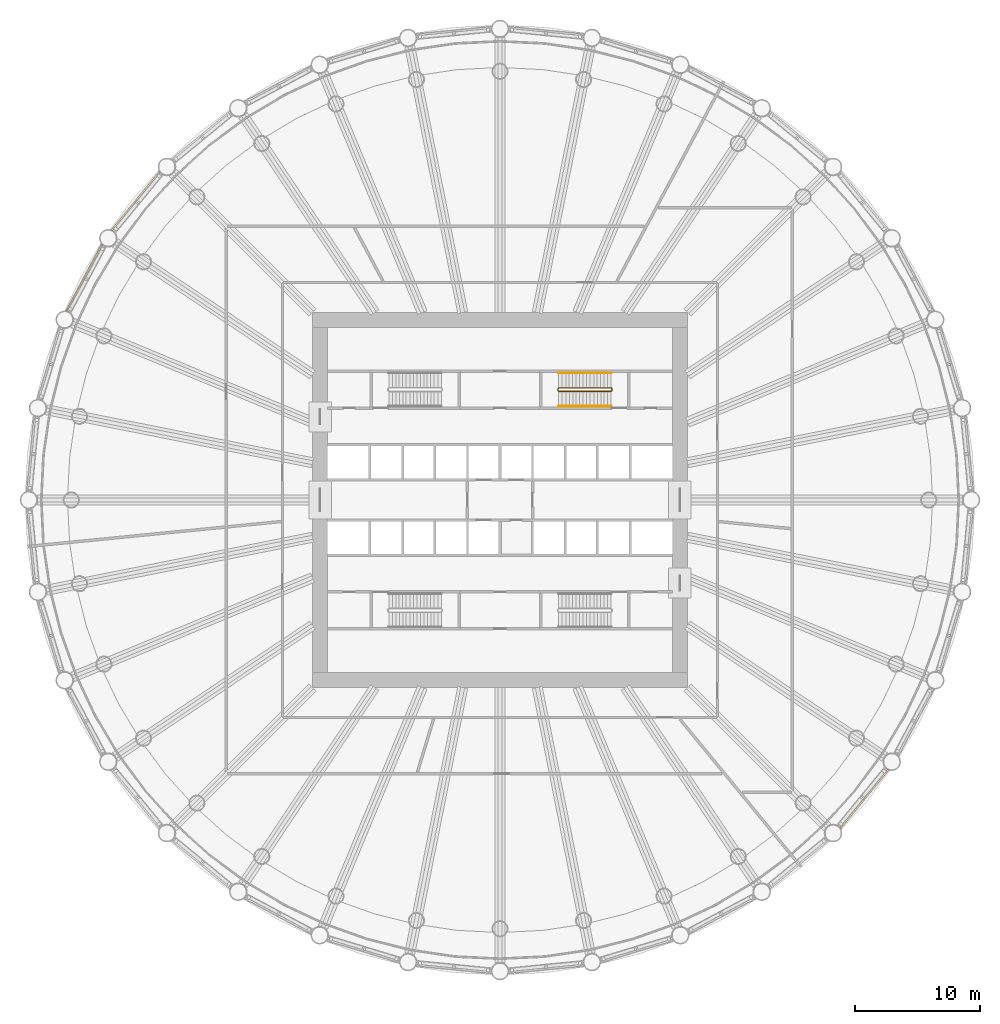
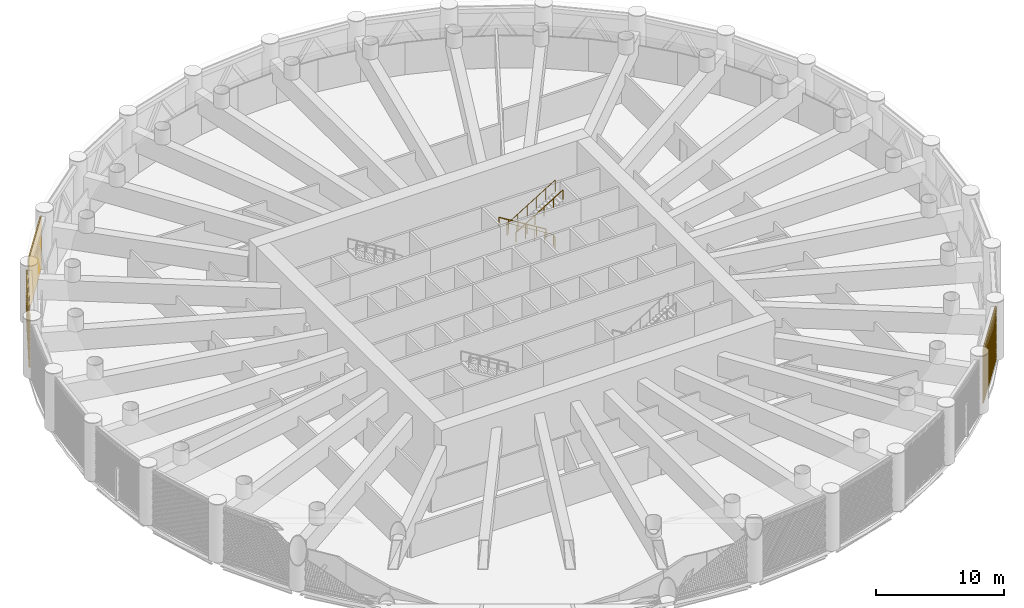
# One storey, part 23 of 26: 3 railings, 3 shading devices, 3 elements without a shape of their own.
"""IFC4 building model written with IfcOpenShell, lengths in metres."""

import ifcopenshell
import ifcopenshell.guid

model = None  # the IFC model being written
_history = None  # IfcOwnerHistory: only IFC2X3 demands one
_inside = {}  # id of a spatial element -> (the spatial element, [elements in it])
_under = {}  # id of a project, library or spatial element -> (it, [spatial elements below it])
_declared = {}  # id of a project -> (the project, [libraries it declares])
_typed = {}  # id of a type object -> (the type object, [elements of that type])
_made_of = {}  # id of a material, layer set ... -> (it, [elements and type objects made of it])


def new_model(schema):
    """Start an empty IFC model of exactly this schema.

    Asked for "IFC4X3", IfcOpenShell would pick the latest addendum, in which some entities
    have other attributes; the version numbers below select the first issue.
    IFC2X3 requires an IfcOwnerHistory on every rooted entity: one is made here for all.
    """
    global model, _history
    if schema == "IFC4X3":
        model = ifcopenshell.file(schema_version=(4, 3, 0, 0))
    else:
        model = ifcopenshell.file(schema=schema)
    _inside.clear()
    _under.clear()
    _declared.clear()
    _typed.clear()
    _made_of.clear()
    _history = None
    if model.schema == "IFC2X3":
        org = make("IfcOrganization", Name="unknown")
        user = make(
            "IfcPersonAndOrganization",
            ThePerson=make("IfcPerson", FamilyName="unknown"),
            TheOrganization=org,
        )
        app = make(
            "IfcApplication",
            ApplicationDeveloper=org,
            Version="unknown",
            ApplicationFullName="unknown",
            ApplicationIdentifier="unknown",
        )
        _history = make(
            "IfcOwnerHistory",
            OwningUser=user,
            OwningApplication=app,
            ChangeAction="ADDED",
            CreationDate=0,
        )
    return model


def make(cls, **values):
    """One entity of the class cls with the attributes given. An attribute that is None is left unset."""
    return model.create_entity(
        cls, **{name: value for name, value in values.items() if value is not None}
    )


def rooted(cls, **values):
    """An entity with a GlobalId (a new one), such as an element, a storey or a relation."""
    return make(cls, GlobalId=ifcopenshell.guid.new(), OwnerHistory=_history, **values)


def si_unit(unit_type, name, prefix=None):
    """IfcSIUnit, for example si_unit("LENGTHUNIT", "METRE", prefix="MILLI")."""
    return make("IfcSIUnit", UnitType=unit_type, Prefix=prefix, Name=name)


def assignment(units):
    """IfcUnitAssignment: the units of a project."""
    return None if units is None else make("IfcUnitAssignment", Units=units)


def point(xyz):
    """IfcCartesianPoint."""
    return None if xyz is None else make("IfcCartesianPoint", Coordinates=xyz)


def direction(xyz):
    """IfcDirection."""
    return None if xyz is None else make("IfcDirection", DirectionRatios=xyz)


def frame(location, z_axis=None, x_axis=None):
    """IfcAxis2Placement3D, a coordinate frame: its origin and axes. An axis left out is left unset."""
    return make(
        "IfcAxis2Placement3D",
        Location=point(location),
        Axis=direction(z_axis),
        RefDirection=direction(x_axis),
    )


def frame_2d(location, x_axis=None):
    """IfcAxis2Placement2D, a coordinate frame in the plane: its origin and x axis."""
    return make(
        "IfcAxis2Placement2D", Location=point(location), RefDirection=direction(x_axis)
    )


def origin():
    """The frame at (0, 0, 0) with its axes left unset."""
    return frame((0.0, 0.0, 0.0))


def origin_2d():
    """The frame at (0, 0) in the plane with its x axis left unset."""
    return frame_2d((0.0, 0.0))


def place(relative_to, where):
    """IfcLocalPlacement: puts the frame where relative to a parent placement (None: the world)."""
    return make(
        "IfcLocalPlacement", PlacementRelTo=relative_to, RelativePlacement=where
    )


def context(
    kind, dimensions, precision=None, world=None, true_north=None, identifier=None
):
    """IfcGeometricRepresentationContext, for example the 3D "Model" context."""
    return make(
        "IfcGeometricRepresentationContext",
        ContextIdentifier=identifier,
        ContextType=kind,
        CoordinateSpaceDimension=dimensions,
        Precision=precision,
        WorldCoordinateSystem=world,
        TrueNorth=true_north,
    )


def subcontext(parent, identifier, kind, view, scale=None):
    """IfcGeometricRepresentationSubContext, for example "Body" below "Model"."""
    return make(
        "IfcGeometricRepresentationSubContext",
        ContextIdentifier=identifier,
        ContextType=kind,
        ParentContext=parent,
        TargetScale=scale,
        TargetView=view,
    )


def project(units=None, contexts=None):
    """IfcProject with its units and contexts."""
    return rooted(
        "IfcProject",
        Name="project",
        RepresentationContexts=contexts,
        UnitsInContext=assignment(units),
    )


def spatial(cls, under=None, at=None, **own):
    """A site, building, storey or space (cls), placed at a placement, below another one or the project."""
    s = rooted(cls, ObjectPlacement=at, **own)
    if under is not None:
        _under.setdefault(under.id(), (under, []))[1].append(s)
    return s


def polyline(points):
    """IfcPolyline through the points."""
    return make("IfcPolyline", Points=[point(p) for p in points])


def profile(cls, at=None, kind="AREA", **sizes):
    """A parametric profile (cls). Its sizes go by their IFC names, for example OverallWidth=200.0."""
    return make(cls, ProfileType=kind, Position=at, **sizes)


def circle(**sizes):
    """IfcCircleProfileDef."""
    return profile("IfcCircleProfileDef", **sizes)


def outline(outer, holes=None, kind="AREA"):
    """IfcArbitraryClosedProfileDef: a profile drawn as a closed curve; with holes, ...WithVoids."""
    if holes is None:
        return make("IfcArbitraryClosedProfileDef", ProfileType=kind, OuterCurve=outer)
    return make(
        "IfcArbitraryProfileDefWithVoids",
        ProfileType=kind,
        OuterCurve=outer,
        InnerCurves=holes,
    )


def extrude(swept, where, along, depth):
    """IfcExtrudedAreaSolid: the profile swept, set in the frame where, extruded along a direction by depth."""
    return make(
        "IfcExtrudedAreaSolid",
        SweptArea=swept,
        Position=where,
        ExtrudedDirection=direction(along),
        Depth=depth,
    )


def shape(context_of_items, identifier, shape_type, items):
    """IfcShapeRepresentation: the items that make up one representation, for example the "Body"."""
    return make(
        "IfcShapeRepresentation",
        ContextOfItems=context_of_items,
        RepresentationIdentifier=identifier,
        RepresentationType=shape_type,
        Items=items,
    )


def material(Name=None, Category=None):
    """IfcMaterial."""
    return make("IfcMaterial", Name=Name, Category=Category)


def material_profile(
    of_material, cross_section, Name=None, Category=None, Priority=None
):
    """IfcMaterialProfile: a cross section and its material."""
    return make(
        "IfcMaterialProfile",
        Name=Name,
        Material=of_material,
        Profile=cross_section,
        Priority=Priority,
        Category=Category,
    )


def profile_set(profiles, Name=None, composite=None):
    """IfcMaterialProfileSet."""
    return make(
        "IfcMaterialProfileSet",
        Name=Name,
        MaterialProfiles=profiles,
        CompositeProfile=composite,
    )


def made_of(thing, what):
    """Note that an element or type object is made of a material, layer set ...; save() writes the relation."""
    if what is not None:
        _made_of.setdefault(what.id(), (what, []))[1].append(thing)
    return thing


def type_object(cls, material=None, **own):
    """A type object (cls), such as IfcWallType, which elements share."""
    return made_of(rooted(cls, **own), material)


def element(
    cls,
    number,
    at=None,
    inside=None,
    cuts=None,
    type_object=None,
    material=None,
    context=None,
    identifier="Body",
    shape_type=None,
    held_by="IfcProductDefinitionShape",
    body=None,
    shapes=None,
    **own,
):
    """One element of the class cls, such as IfcWall. Its Tag is "e" and its number.

    at: its placement. inside: the storey or other place that contains it. cuts: it is an
    opening in that element (IfcRelVoidsElement). A single representation is given by context,
    identifier, shape_type and body (its items); several are given by shapes. held_by: the class
    of the entity that holds the representations. save() writes the other relations.
    """
    e = rooted(cls, Tag="e%d" % number, ObjectPlacement=at, **own)
    if body is not None:
        shapes = [shape(context, identifier, shape_type, body)]
    if shapes is not None:
        e.Representation = make(held_by, Representations=shapes)
    if inside is not None:
        _inside.setdefault(inside.id(), (inside, []))[1].append(e)
    if cuts is not None:
        rooted(
            "IfcRelVoidsElement", RelatingBuildingElement=cuts, RelatedOpeningElement=e
        )
    if type_object is not None:
        _typed.setdefault(type_object.id(), (type_object, []))[1].append(e)
    return made_of(e, material)


def aggregate(whole, parts):
    """IfcRelAggregates: a whole, such as a stair, and the parts it consists of."""
    return rooted("IfcRelAggregates", RelatingObject=whole, RelatedObjects=parts)


def save(model, path):
    """Write the relations noted so far, then the file.

    IfcRelAggregates (storeys below a building ...), IfcRelContainedInSpatialStructure (elements
    in a storey), IfcRelDefinesByType, IfcRelAssociatesMaterial and IfcRelDeclares: one each for
    every whole, place, type object, material and project.
    """
    for whole, parts in _under.values():
        aggregate(whole, parts)
    for where, things in _inside.values():
        rooted(
            "IfcRelContainedInSpatialStructure",
            RelatedElements=things,
            RelatingStructure=where,
        )
    for kind, things in _typed.values():
        rooted("IfcRelDefinesByType", RelatedObjects=things, RelatingType=kind)
    for what, things in _made_of.values():
        rooted("IfcRelAssociatesMaterial", RelatedObjects=things, RelatingMaterial=what)
    for by, libraries in _declared.values():
        rooted("IfcRelDeclares", RelatingContext=by, RelatedDefinitions=libraries)
    model.write(path)


model = new_model("IFC4")

# Units and contexts
model_context = context("Model", 3, precision=1e-05, world=origin(), true_north=direction((0.0, 1.0)))
body_context = subcontext(model_context, "Body", "Model", "MODEL_VIEW")
ifc_project = project(units=[si_unit("LENGTHUNIT", "METRE"), si_unit("AREAUNIT", "SQUARE_METRE"), si_unit("VOLUMEUNIT", "CUBIC_METRE"), si_unit("PLANEANGLEUNIT", "RADIAN"), si_unit("MASSUNIT", "GRAM", prefix="KILO")], contexts=[model_context])

# Site, building, storey
site_placement = place(None, origin())
site = spatial("IfcSite", under=ifc_project, at=site_placement, CompositionType="ELEMENT")
building_placement = place(site_placement, origin())
building = spatial("IfcBuilding", under=site, at=building_placement, Name="Corvane Civic Tower", CompositionType="ELEMENT")
storey_placement = place(building_placement, frame((0.0, 0.0, 85.0)))
storey = spatial("IfcBuildingStorey", under=building, at=storey_placement, Name="L19", CompositionType="ELEMENT", Elevation=85.0)

# Railings
ifc_material_1 = material(Name="Steel ASTM A572 Gr 50", Category="steel")
railing_type_1 = type_object("IfcRailingType", Name="ST-GUARD-1100", PredefinedType="GUARDRAIL", material=ifc_material_1)
railing_1_placement = place(storey_placement, frame((8.949951171875, 8.75, 0.0)))
element("IfcRailing", 1, at=railing_1_placement, inside=storey, type_object=railing_type_1, Name="L19 ST1 stair guard 1", PredefinedType="GUARDRAIL", context=body_context, shape_type="SweptSolid", body=[
    extrude(circle(Radius=0.02392578125, at=origin_2d()), frame((0.0, 0.0, 1.076171875), z_axis=(0.0, 1.0, 0.0), x_axis=(-1.0, 0.0, 0.0)), (0.0, 0.0, 1.0), 0.14990234375),
    extrude(circle(Radius=0.02392578125, at=origin_2d()), frame((0.0, 0.14990234375, 1.076171875), z_axis=(-0.269255725606, 0.269255725606, 0.92466356501), x_axis=(-0.707106781187, -0.707106781187, 0.0)), (0.0, 0.0, 1.0), 0.185791015625),
    extrude(circle(Radius=0.02392578125, at=origin_2d()), frame((-0.050048828125, 0.199951171875, 1.248046875), z_axis=(-0.852242915053, 0.0, 0.523146264196), x_axis=(0.0, -1.0, 0.0)), (0.0, 0.0, 1.0), 4.92822265625),
    extrude(circle(Radius=0.02392578125, at=origin_2d()), frame((-4.25, 0.199951171875, 3.826171875), z_axis=(-0.707106781187, -0.707106781187, 0.0), x_axis=(0.707106781187, -0.707106781187, 0.0)), (0.0, 0.0, 1.0), 0.07080078125),
    extrude(circle(Radius=0.02392578125, at=origin_2d()), frame((-4.300048828125, 0.14990234375, 3.826171875), z_axis=(0.0, -1.0, 0.0), x_axis=(1.0, 0.0, 0.0)), (0.0, 0.0, 1.0), 0.14990234375),
    extrude(circle(Radius=0.02392578125, at=origin_2d()), frame((-4.300048828125, 0.0, 3.826171875), z_axis=(0.269255725606, -0.269255725606, 0.92466356501), x_axis=(0.707106781187, 0.707106781187, 0.0)), (0.0, 0.0, 1.0), 0.185791015625),
    extrude(circle(Radius=0.02392578125, at=origin_2d()), frame((-4.25, -0.050048828125, 3.998046875), z_axis=(0.852242915053, 0.0, 0.523146264196), x_axis=(0.0, 1.0, 0.0)), (0.0, 0.0, 1.0), 4.92822265625),
    extrude(circle(Radius=0.02099609375, at=origin_2d()), origin(), (0.0, 0.0, 1.0), 1.052001953125),
    extrude(circle(Radius=0.02099609375, at=origin_2d()), frame((0.0, 0.14990234375, 0.0)), (0.0, 0.0, 1.0), 1.052001953125),
    extrude(circle(Radius=0.02099609375, at=origin_2d()), frame((-0.050048828125, 0.199951171875, 0.171875)), (0.0, 0.0, 1.0), 1.052001953125),
    extrude(circle(Radius=0.02099609375, at=origin_2d()), frame((-0.89013671875, 0.199951171875, 0.6875)), (0.0, 0.0, 1.0), 1.052001953125),
    extrude(circle(Radius=0.02099609375, at=origin_2d()), frame((-1.72998046875, 0.199951171875, 1.203125)), (0.0, 0.0, 1.0), 1.052001953125),
    extrude(circle(Radius=0.02099609375, at=origin_2d()), frame((-2.570068359375, 0.199951171875, 1.71875)), (0.0, 0.0, 1.0), 1.052001953125),
    extrude(circle(Radius=0.02099609375, at=origin_2d()), frame((-3.409912109375, 0.199951171875, 2.234375)), (0.0, 0.0, 1.0), 1.052001953125),
    extrude(circle(Radius=0.02099609375, at=origin_2d()), frame((-4.25, 0.199951171875, 2.75)), (0.0, 0.0, 1.0), 1.052001953125),
    extrude(circle(Radius=0.02099609375, at=origin_2d()), frame((-4.300048828125, 0.14990234375, 2.75)), (0.0, 0.0, 1.0), 1.052001953125),
    extrude(circle(Radius=0.02099609375, at=origin_2d()), frame((-4.300048828125, 0.0, 2.75)), (0.0, 0.0, 1.0), 1.052001953125),
    extrude(circle(Radius=0.02099609375, at=origin_2d()), frame((-4.25, -0.050048828125, 2.921875)), (0.0, 0.0, 1.0), 1.052001953125),
    extrude(circle(Radius=0.02099609375, at=origin_2d()), frame((-3.409912109375, -0.050048828125, 3.4375)), (0.0, 0.0, 1.0), 1.052001953125),
    extrude(circle(Radius=0.02099609375, at=origin_2d()), frame((-2.570068359375, -0.050048828125, 3.953125)), (0.0, 0.0, 1.0), 1.052001953125),
    extrude(circle(Radius=0.02099609375, at=origin_2d()), frame((-1.72998046875, -0.050048828125, 4.46875)), (0.0, 0.0, 1.0), 1.052001953125),
    extrude(circle(Radius=0.02099609375, at=origin_2d()), frame((-0.89013671875, -0.050048828125, 4.984375)), (0.0, 0.0, 1.0), 1.052001953125),
    extrude(circle(Radius=0.02099609375, at=origin_2d()), frame((-0.050048828125, -0.050048828125, 5.5)), (0.0, 0.0, 1.0), 1.052001953125),
])
ifc_material_2 = material(Name="Steel ASTM A572 Gr 50", Category="steel")
railing_type_2 = type_object("IfcRailingType", Name="ST-HANDRAIL-900", PredefinedType="HANDRAIL", material=ifc_material_2)
railing_2_placement = place(storey_placement, frame((8.89990234375, 10.14990234375, 0.171875)))
element("IfcRailing", 2, at=railing_2_placement, inside=storey, type_object=railing_type_2, Name="L19 ST1 stair handrail 1", PredefinedType="HANDRAIL", context=body_context, shape_type="SweptSolid", body=[
    extrude(circle(Radius=0.02392578125, at=origin_2d()), frame((0.0, 0.0, 0.8759765625), z_axis=(-0.852242915053, 0.0, 0.523146264196), x_axis=(0.0, -1.0, 0.0)), (0.0, 0.0, 1.0), 4.92822265625),
    extrude(circle(Radius=0.02099609375, at=origin_2d()), origin(), (0.0, 0.0, 1.0), 0.851806640625),
    extrude(circle(Radius=0.02099609375, at=origin_2d()), frame((-0.840087890625, 0.0, 0.515625)), (0.0, 0.0, 1.0), 0.851806640625),
    extrude(circle(Radius=0.02099609375, at=origin_2d()), frame((-1.679931640625, 0.0, 1.03125)), (0.0, 0.0, 1.0), 0.851806640625),
    extrude(circle(Radius=0.02099609375, at=origin_2d()), frame((-2.52001953125, 0.0, 1.546875)), (0.0, 0.0, 1.0), 0.851806640625),
    extrude(circle(Radius=0.02099609375, at=origin_2d()), frame((-3.35986328125, 0.0, 2.0625)), (0.0, 0.0, 1.0), 0.851806640625),
    extrude(circle(Radius=0.02099609375, at=origin_2d()), frame((-4.199951171875, 0.0, 2.578125)), (0.0, 0.0, 1.0), 0.851806640625),
])
railing_3_placement = place(storey_placement, frame((4.699951171875, 7.5, 2.921875)))
element("IfcRailing", 3, at=railing_3_placement, inside=storey, type_object=railing_type_2, Name="L19 ST1 stair handrail 2", PredefinedType="HANDRAIL", context=body_context, shape_type="SweptSolid", body=[
    extrude(circle(Radius=0.02392578125, at=origin_2d()), frame((0.0, 0.0, 0.8759765625), z_axis=(0.852242915053, 0.0, 0.523146264196), x_axis=(0.0, 1.0, 0.0)), (0.0, 0.0, 1.0), 4.92822265625),
    extrude(circle(Radius=0.02099609375, at=origin_2d()), origin(), (0.0, 0.0, 1.0), 0.851806640625),
    extrude(circle(Radius=0.02099609375, at=origin_2d()), frame((0.840087890625, 0.0, 0.515625)), (0.0, 0.0, 1.0), 0.851806640625),
    extrude(circle(Radius=0.02099609375, at=origin_2d()), frame((1.679931640625, 0.0, 1.03125)), (0.0, 0.0, 1.0), 0.851806640625),
    extrude(circle(Radius=0.02099609375, at=origin_2d()), frame((2.52001953125, 0.0, 1.546875)), (0.0, 0.0, 1.0), 0.851806640625),
    extrude(circle(Radius=0.02099609375, at=origin_2d()), frame((3.35986328125, 0.0, 2.0625)), (0.0, 0.0, 1.0), 0.851806640625),
    extrude(circle(Radius=0.02099609375, at=origin_2d()), frame((4.199951171875, 0.0, 2.578125)), (0.0, 0.0, 1.0), 0.851806640625),
])

# Curtain wall, shading device
ifc_material_3 = material(Name="Anodised aluminium bronze", Category="aluminium")
curtain_wall_type = type_object("IfcCurtainWallType", Name="TOWER CW-LV LOUVRE SCREEN WALL", PredefinedType="NOTDEFINED", material=ifc_material_3)
curtain_wall_1_placement = place(storey_placement, origin())
curtain_wall_1 = element("IfcCurtainWall", 4, at=curtain_wall_1_placement, inside=storey, type_object=curtain_wall_type, Name="Louvre screen wall CW-LV L19 bay 12", PredefinedType="NOTDEFINED")
ifc_material_4 = material(Name="Anodised aluminium bronze", Category="aluminium")
ifc_material_profile = material_profile(ifc_material_4, outline(polyline([(-0.06005859375, -2.56494140625), (-0.0400390625, -2.56494140625), (0.06005859375, -2.492919921875), (0.06005859375, -2.472900390625), (-0.0400390625, -2.544921875), (-0.0400390625, -2.4140625), (0.06005859375, -2.342041015625), (0.06005859375, -2.322021484375), (-0.0400390625, -2.39404296875), (-0.0400390625, -2.26318359375), (0.06005859375, -2.191162109375), (0.06005859375, -2.171142578125), (-0.0400390625, -2.2431640625), (-0.0400390625, -2.1123046875), (0.06005859375, -2.040283203125), (0.06005859375, -2.0205078125), (-0.0400390625, -2.09228515625), (-0.0400390625, -1.96142578125), (0.06005859375, -1.889404296875), (0.06005859375, -1.869384765625), (-0.0400390625, -1.94140625), (-0.0400390625, -1.810546875), (0.06005859375, -1.738525390625), (0.06005859375, -1.718505859375), (-0.0400390625, -1.79052734375), (-0.0400390625, -1.65966796875), (0.06005859375, -1.587646484375), (0.06005859375, -1.567626953125), (-0.0400390625, -1.6396484375), (-0.0400390625, -1.5087890625), (0.06005859375, -1.436767578125), (0.06005859375, -1.416748046875), (-0.0400390625, -1.48876953125), (-0.0400390625, -1.35791015625), (0.06005859375, -1.285888671875), (0.06005859375, -1.265869140625), (-0.0400390625, -1.337890625), (-0.0400390625, -1.20703125), (0.06005859375, -1.135009765625), (0.06005859375, -1.114990234375), (-0.0400390625, -1.18701171875), (-0.0400390625, -1.05615234375), (0.06005859375, -0.984130859375), (0.06005859375, -0.964111328125), (-0.0400390625, -1.0361328125), (-0.0400390625, -0.9052734375), (0.06005859375, -0.833251953125), (0.06005859375, -0.813232421875), (-0.0400390625, -0.88525390625), (-0.0400390625, -0.75439453125), (0.06005859375, -0.682373046875), (0.06005859375, -0.662353515625), (-0.0400390625, -0.734375), (-0.0400390625, -0.603515625), (0.06005859375, -0.531494140625), (0.06005859375, -0.511474609375), (-0.0400390625, -0.58349609375), (-0.0400390625, -0.45263671875), (0.06005859375, -0.380615234375), (0.06005859375, -0.360595703125), (-0.0400390625, -0.4326171875), (-0.0400390625, -0.3017578125), (0.06005859375, -0.229736328125), (0.06005859375, -0.209716796875), (-0.0400390625, -0.28173828125), (-0.0400390625, -0.15087890625), (0.06005859375, -0.078857421875), (0.06005859375, -0.058837890625), (-0.0400390625, -0.130859375), (-0.0400390625, 0.0), (0.06005859375, 0.072021484375), (0.06005859375, 0.092041015625), (-0.0400390625, 0.02001953125), (-0.0400390625, 0.15087890625), (0.06005859375, 0.222900390625), (0.06005859375, 0.242919921875), (-0.0400390625, 0.1708984375), (-0.0400390625, 0.3017578125), (0.06005859375, 0.373779296875), (0.06005859375, 0.393798828125), (-0.0400390625, 0.32177734375), (-0.0400390625, 0.45263671875), (0.06005859375, 0.524658203125), (0.06005859375, 0.544677734375), (-0.0400390625, 0.47265625), (-0.0400390625, 0.603515625), (0.06005859375, 0.675537109375), (0.06005859375, 0.695556640625), (-0.0400390625, 0.62353515625), (-0.0400390625, 0.75439453125), (0.06005859375, 0.826416015625), (0.06005859375, 0.846435546875), (-0.0400390625, 0.7744140625), (-0.0400390625, 0.9052734375), (0.06005859375, 0.977294921875), (0.06005859375, 0.997314453125), (-0.0400390625, 0.92529296875), (-0.0400390625, 1.05615234375), (0.06005859375, 1.128173828125), (0.06005859375, 1.148193359375), (-0.0400390625, 1.076171875), (-0.0400390625, 1.20703125), (0.06005859375, 1.279052734375), (0.06005859375, 1.299072265625), (-0.0400390625, 1.22705078125), (-0.0400390625, 1.35791015625), (0.06005859375, 1.429931640625), (0.06005859375, 1.449951171875), (-0.0400390625, 1.3779296875), (-0.0400390625, 1.5087890625), (0.06005859375, 1.580810546875), (0.06005859375, 1.600830078125), (-0.0400390625, 1.52880859375), (-0.0400390625, 1.65966796875), (0.06005859375, 1.731689453125), (0.06005859375, 1.751708984375), (-0.0400390625, 1.6796875), (-0.0400390625, 1.810546875), (0.06005859375, 1.882568359375), (0.06005859375, 1.902587890625), (-0.0400390625, 1.83056640625), (-0.0400390625, 1.96142578125), (0.06005859375, 2.033447265625), (0.06005859375, 2.053466796875), (-0.0400390625, 1.9814453125), (-0.0400390625, 2.1123046875), (0.06005859375, 2.184326171875), (0.06005859375, 2.204345703125), (-0.0400390625, 2.13232421875), (-0.0400390625, 2.26318359375), (0.06005859375, 2.335205078125), (0.06005859375, 2.355224609375), (-0.0400390625, 2.283203125), (-0.0400390625, 2.4140625), (0.06005859375, 2.486083984375), (0.06005859375, 2.506103515625), (-0.0400390625, 2.43408203125), (-0.0400390625, 2.56494140625), (-0.06005859375, 2.56494140625), (-0.06005859375, -2.56494140625)])), Name="TOWER LOUVRE BANK 5130 BRONZE")
ifc_profile_set = profile_set([ifc_material_profile], Name="Anodised aluminium bronze")
shading_device_type = type_object("IfcShadingDeviceType", Name="TOWER LOUVRE BANK 5130 BRONZE", PredefinedType="USERDEFINED", material=ifc_profile_set)
shading_device_1_placement = place(storey_placement, frame((31.074462890625, -21.55859375, 2.68505859375), z_axis=(-0.634388401677, -0.77301446029, 0.0), x_axis=(0.77301446029, -0.634388401677, 0.0)))
shading_device_1 = element("IfcShadingDevice", 5, at=shading_device_1_placement, type_object=shading_device_type, Name="Louvre bank L19 12.1", ObjectType="LOUVRE", PredefinedType="USERDEFINED", context=body_context, shape_type="SweptSolid", body=[
    extrude(outline(polyline([(-0.06005859375, -2.56494140625), (-0.0400390625, -2.56494140625), (0.06005859375, -2.492919921875), (0.06005859375, -2.472900390625), (-0.0400390625, -2.544921875), (-0.0400390625, -2.4140625), (0.06005859375, -2.342041015625), (0.06005859375, -2.322021484375), (-0.0400390625, -2.39404296875), (-0.0400390625, -2.26318359375), (0.06005859375, -2.191162109375), (0.06005859375, -2.171142578125), (-0.0400390625, -2.2431640625), (-0.0400390625, -2.1123046875), (0.06005859375, -2.040283203125), (0.06005859375, -2.0205078125), (-0.0400390625, -2.09228515625), (-0.0400390625, -1.96142578125), (0.06005859375, -1.889404296875), (0.06005859375, -1.869384765625), (-0.0400390625, -1.94140625), (-0.0400390625, -1.810546875), (0.06005859375, -1.738525390625), (0.06005859375, -1.718505859375), (-0.0400390625, -1.79052734375), (-0.0400390625, -1.65966796875), (0.06005859375, -1.587646484375), (0.06005859375, -1.567626953125), (-0.0400390625, -1.6396484375), (-0.0400390625, -1.5087890625), (0.06005859375, -1.436767578125), (0.06005859375, -1.416748046875), (-0.0400390625, -1.48876953125), (-0.0400390625, -1.35791015625), (0.06005859375, -1.285888671875), (0.06005859375, -1.265869140625), (-0.0400390625, -1.337890625), (-0.0400390625, -1.20703125), (0.06005859375, -1.135009765625), (0.06005859375, -1.114990234375), (-0.0400390625, -1.18701171875), (-0.0400390625, -1.05615234375), (0.06005859375, -0.984130859375), (0.06005859375, -0.964111328125), (-0.0400390625, -1.0361328125), (-0.0400390625, -0.9052734375), (0.06005859375, -0.833251953125), (0.06005859375, -0.813232421875), (-0.0400390625, -0.88525390625), (-0.0400390625, -0.75439453125), (0.06005859375, -0.682373046875), (0.06005859375, -0.662353515625), (-0.0400390625, -0.734375), (-0.0400390625, -0.603515625), (0.06005859375, -0.531494140625), (0.06005859375, -0.511474609375), (-0.0400390625, -0.58349609375), (-0.0400390625, -0.45263671875), (0.06005859375, -0.380615234375), (0.06005859375, -0.360595703125), (-0.0400390625, -0.4326171875), (-0.0400390625, -0.3017578125), (0.06005859375, -0.229736328125), (0.06005859375, -0.209716796875), (-0.0400390625, -0.28173828125), (-0.0400390625, -0.15087890625), (0.06005859375, -0.078857421875), (0.06005859375, -0.058837890625), (-0.0400390625, -0.130859375), (-0.0400390625, 0.0), (0.06005859375, 0.072021484375), (0.06005859375, 0.092041015625), (-0.0400390625, 0.02001953125), (-0.0400390625, 0.15087890625), (0.06005859375, 0.222900390625), (0.06005859375, 0.242919921875), (-0.0400390625, 0.1708984375), (-0.0400390625, 0.3017578125), (0.06005859375, 0.373779296875), (0.06005859375, 0.393798828125), (-0.0400390625, 0.32177734375), (-0.0400390625, 0.45263671875), (0.06005859375, 0.524658203125), (0.06005859375, 0.544677734375), (-0.0400390625, 0.47265625), (-0.0400390625, 0.603515625), (0.06005859375, 0.675537109375), (0.06005859375, 0.695556640625), (-0.0400390625, 0.62353515625), (-0.0400390625, 0.75439453125), (0.06005859375, 0.826416015625), (0.06005859375, 0.846435546875), (-0.0400390625, 0.7744140625), (-0.0400390625, 0.9052734375), (0.06005859375, 0.977294921875), (0.06005859375, 0.997314453125), (-0.0400390625, 0.92529296875), (-0.0400390625, 1.05615234375), (0.06005859375, 1.128173828125), (0.06005859375, 1.148193359375), (-0.0400390625, 1.076171875), (-0.0400390625, 1.20703125), (0.06005859375, 1.279052734375), (0.06005859375, 1.299072265625), (-0.0400390625, 1.22705078125), (-0.0400390625, 1.35791015625), (0.06005859375, 1.429931640625), (0.06005859375, 1.449951171875), (-0.0400390625, 1.3779296875), (-0.0400390625, 1.5087890625), (0.06005859375, 1.580810546875), (0.06005859375, 1.600830078125), (-0.0400390625, 1.52880859375), (-0.0400390625, 1.65966796875), (0.06005859375, 1.731689453125), (0.06005859375, 1.751708984375), (-0.0400390625, 1.6796875), (-0.0400390625, 1.810546875), (0.06005859375, 1.882568359375), (0.06005859375, 1.902587890625), (-0.0400390625, 1.83056640625), (-0.0400390625, 1.96142578125), (0.06005859375, 2.033447265625), (0.06005859375, 2.053466796875), (-0.0400390625, 1.9814453125), (-0.0400390625, 2.1123046875), (0.06005859375, 2.184326171875), (0.06005859375, 2.204345703125), (-0.0400390625, 2.13232421875), (-0.0400390625, 2.26318359375), (0.06005859375, 2.335205078125), (0.06005859375, 2.355224609375), (-0.0400390625, 2.283203125), (-0.0400390625, 2.4140625), (0.06005859375, 2.486083984375), (0.06005859375, 2.506103515625), (-0.0400390625, 2.43408203125), (-0.0400390625, 2.56494140625), (-0.06005859375, 2.56494140625), (-0.06005859375, -2.56494140625)])), origin(), (0.0, 0.0, 1.0), 6.09716796875),
])
aggregate(curtain_wall_1, [shading_device_1])

curtain_wall_2_placement = place(storey_placement, origin())
curtain_wall_2 = element("IfcCurtainWall", 6, at=curtain_wall_2_placement, inside=storey, type_object=curtain_wall_type, Name="Louvre screen wall CW-LV L19 bay 27", PredefinedType="NOTDEFINED")
shading_device_2_placement = place(storey_placement, frame((-34.683349609375, 15.08203125, 2.68505859375), z_axis=(0.47137780817, 0.881931381664, 0.0), x_axis=(-0.881931381664, 0.47137780817, 0.0)))
shading_device_2 = element("IfcShadingDevice", 7, at=shading_device_2_placement, type_object=shading_device_type, Name="Louvre bank L19 27.1", ObjectType="LOUVRE", PredefinedType="USERDEFINED", context=body_context, shape_type="SweptSolid", body=[
    extrude(outline(polyline([(-0.06005859375, -2.56494140625), (-0.0400390625, -2.56494140625), (0.06005859375, -2.492919921875), (0.06005859375, -2.472900390625), (-0.0400390625, -2.544921875), (-0.0400390625, -2.4140625), (0.06005859375, -2.342041015625), (0.06005859375, -2.322021484375), (-0.0400390625, -2.39404296875), (-0.0400390625, -2.26318359375), (0.06005859375, -2.191162109375), (0.06005859375, -2.171142578125), (-0.0400390625, -2.2431640625), (-0.0400390625, -2.1123046875), (0.06005859375, -2.040283203125), (0.06005859375, -2.0205078125), (-0.0400390625, -2.09228515625), (-0.0400390625, -1.96142578125), (0.06005859375, -1.889404296875), (0.06005859375, -1.869384765625), (-0.0400390625, -1.94140625), (-0.0400390625, -1.810546875), (0.06005859375, -1.738525390625), (0.06005859375, -1.718505859375), (-0.0400390625, -1.79052734375), (-0.0400390625, -1.65966796875), (0.06005859375, -1.587646484375), (0.06005859375, -1.567626953125), (-0.0400390625, -1.6396484375), (-0.0400390625, -1.5087890625), (0.06005859375, -1.436767578125), (0.06005859375, -1.416748046875), (-0.0400390625, -1.48876953125), (-0.0400390625, -1.35791015625), (0.06005859375, -1.285888671875), (0.06005859375, -1.265869140625), (-0.0400390625, -1.337890625), (-0.0400390625, -1.20703125), (0.06005859375, -1.135009765625), (0.06005859375, -1.114990234375), (-0.0400390625, -1.18701171875), (-0.0400390625, -1.05615234375), (0.06005859375, -0.984130859375), (0.06005859375, -0.964111328125), (-0.0400390625, -1.0361328125), (-0.0400390625, -0.9052734375), (0.06005859375, -0.833251953125), (0.06005859375, -0.813232421875), (-0.0400390625, -0.88525390625), (-0.0400390625, -0.75439453125), (0.06005859375, -0.682373046875), (0.06005859375, -0.662353515625), (-0.0400390625, -0.734375), (-0.0400390625, -0.603515625), (0.06005859375, -0.531494140625), (0.06005859375, -0.511474609375), (-0.0400390625, -0.58349609375), (-0.0400390625, -0.45263671875), (0.06005859375, -0.380615234375), (0.06005859375, -0.360595703125), (-0.0400390625, -0.4326171875), (-0.0400390625, -0.3017578125), (0.06005859375, -0.229736328125), (0.06005859375, -0.209716796875), (-0.0400390625, -0.28173828125), (-0.0400390625, -0.15087890625), (0.06005859375, -0.078857421875), (0.06005859375, -0.058837890625), (-0.0400390625, -0.130859375), (-0.0400390625, 0.0), (0.06005859375, 0.072021484375), (0.06005859375, 0.092041015625), (-0.0400390625, 0.02001953125), (-0.0400390625, 0.15087890625), (0.06005859375, 0.222900390625), (0.06005859375, 0.242919921875), (-0.0400390625, 0.1708984375), (-0.0400390625, 0.3017578125), (0.06005859375, 0.373779296875), (0.06005859375, 0.393798828125), (-0.0400390625, 0.32177734375), (-0.0400390625, 0.45263671875), (0.06005859375, 0.524658203125), (0.06005859375, 0.544677734375), (-0.0400390625, 0.47265625), (-0.0400390625, 0.603515625), (0.06005859375, 0.675537109375), (0.06005859375, 0.695556640625), (-0.0400390625, 0.62353515625), (-0.0400390625, 0.75439453125), (0.06005859375, 0.826416015625), (0.06005859375, 0.846435546875), (-0.0400390625, 0.7744140625), (-0.0400390625, 0.9052734375), (0.06005859375, 0.977294921875), (0.06005859375, 0.997314453125), (-0.0400390625, 0.92529296875), (-0.0400390625, 1.05615234375), (0.06005859375, 1.128173828125), (0.06005859375, 1.148193359375), (-0.0400390625, 1.076171875), (-0.0400390625, 1.20703125), (0.06005859375, 1.279052734375), (0.06005859375, 1.299072265625), (-0.0400390625, 1.22705078125), (-0.0400390625, 1.35791015625), (0.06005859375, 1.429931640625), (0.06005859375, 1.449951171875), (-0.0400390625, 1.3779296875), (-0.0400390625, 1.5087890625), (0.06005859375, 1.580810546875), (0.06005859375, 1.600830078125), (-0.0400390625, 1.52880859375), (-0.0400390625, 1.65966796875), (0.06005859375, 1.731689453125), (0.06005859375, 1.751708984375), (-0.0400390625, 1.6796875), (-0.0400390625, 1.810546875), (0.06005859375, 1.882568359375), (0.06005859375, 1.902587890625), (-0.0400390625, 1.83056640625), (-0.0400390625, 1.96142578125), (0.06005859375, 2.033447265625), (0.06005859375, 2.053466796875), (-0.0400390625, 1.9814453125), (-0.0400390625, 2.1123046875), (0.06005859375, 2.184326171875), (0.06005859375, 2.204345703125), (-0.0400390625, 2.13232421875), (-0.0400390625, 2.26318359375), (0.06005859375, 2.335205078125), (0.06005859375, 2.355224609375), (-0.0400390625, 2.283203125), (-0.0400390625, 2.4140625), (0.06005859375, 2.486083984375), (0.06005859375, 2.506103515625), (-0.0400390625, 2.43408203125), (-0.0400390625, 2.56494140625), (-0.06005859375, 2.56494140625), (-0.06005859375, -2.56494140625)])), origin(), (0.0, 0.0, 1.0), 6.09716796875),
])
aggregate(curtain_wall_2, [shading_device_2])

curtain_wall_3_placement = place(storey_placement, origin())
curtain_wall_3 = element("IfcCurtainWall", 8, at=curtain_wall_3_placement, inside=storey, type_object=curtain_wall_type, Name="Louvre screen wall CW-LV L19 bay 28", PredefinedType="NOTDEFINED")
shading_device_3_placement = place(storey_placement, frame((-31.074462890625, 21.55859375, 2.68505859375), z_axis=(0.634388401677, 0.77301446029, 0.0), x_axis=(-0.77301446029, 0.634388401677, 0.0)))
shading_device_3 = element("IfcShadingDevice", 9, at=shading_device_3_placement, type_object=shading_device_type, Name="Louvre bank L19 28.1", ObjectType="LOUVRE", PredefinedType="USERDEFINED", context=body_context, shape_type="SweptSolid", body=[
    extrude(outline(polyline([(-0.06005859375, -2.56494140625), (-0.0400390625, -2.56494140625), (0.06005859375, -2.492919921875), (0.06005859375, -2.472900390625), (-0.0400390625, -2.544921875), (-0.0400390625, -2.4140625), (0.06005859375, -2.342041015625), (0.06005859375, -2.322021484375), (-0.0400390625, -2.39404296875), (-0.0400390625, -2.26318359375), (0.06005859375, -2.191162109375), (0.06005859375, -2.171142578125), (-0.0400390625, -2.2431640625), (-0.0400390625, -2.1123046875), (0.06005859375, -2.040283203125), (0.06005859375, -2.0205078125), (-0.0400390625, -2.09228515625), (-0.0400390625, -1.96142578125), (0.06005859375, -1.889404296875), (0.06005859375, -1.869384765625), (-0.0400390625, -1.94140625), (-0.0400390625, -1.810546875), (0.06005859375, -1.738525390625), (0.06005859375, -1.718505859375), (-0.0400390625, -1.79052734375), (-0.0400390625, -1.65966796875), (0.06005859375, -1.587646484375), (0.06005859375, -1.567626953125), (-0.0400390625, -1.6396484375), (-0.0400390625, -1.5087890625), (0.06005859375, -1.436767578125), (0.06005859375, -1.416748046875), (-0.0400390625, -1.48876953125), (-0.0400390625, -1.35791015625), (0.06005859375, -1.285888671875), (0.06005859375, -1.265869140625), (-0.0400390625, -1.337890625), (-0.0400390625, -1.20703125), (0.06005859375, -1.135009765625), (0.06005859375, -1.114990234375), (-0.0400390625, -1.18701171875), (-0.0400390625, -1.05615234375), (0.06005859375, -0.984130859375), (0.06005859375, -0.964111328125), (-0.0400390625, -1.0361328125), (-0.0400390625, -0.9052734375), (0.06005859375, -0.833251953125), (0.06005859375, -0.813232421875), (-0.0400390625, -0.88525390625), (-0.0400390625, -0.75439453125), (0.06005859375, -0.682373046875), (0.06005859375, -0.662353515625), (-0.0400390625, -0.734375), (-0.0400390625, -0.603515625), (0.06005859375, -0.531494140625), (0.06005859375, -0.511474609375), (-0.0400390625, -0.58349609375), (-0.0400390625, -0.45263671875), (0.06005859375, -0.380615234375), (0.06005859375, -0.360595703125), (-0.0400390625, -0.4326171875), (-0.0400390625, -0.3017578125), (0.06005859375, -0.229736328125), (0.06005859375, -0.209716796875), (-0.0400390625, -0.28173828125), (-0.0400390625, -0.15087890625), (0.06005859375, -0.078857421875), (0.06005859375, -0.058837890625), (-0.0400390625, -0.130859375), (-0.0400390625, 0.0), (0.06005859375, 0.072021484375), (0.06005859375, 0.092041015625), (-0.0400390625, 0.02001953125), (-0.0400390625, 0.15087890625), (0.06005859375, 0.222900390625), (0.06005859375, 0.242919921875), (-0.0400390625, 0.1708984375), (-0.0400390625, 0.3017578125), (0.06005859375, 0.373779296875), (0.06005859375, 0.393798828125), (-0.0400390625, 0.32177734375), (-0.0400390625, 0.45263671875), (0.06005859375, 0.524658203125), (0.06005859375, 0.544677734375), (-0.0400390625, 0.47265625), (-0.0400390625, 0.603515625), (0.06005859375, 0.675537109375), (0.06005859375, 0.695556640625), (-0.0400390625, 0.62353515625), (-0.0400390625, 0.75439453125), (0.06005859375, 0.826416015625), (0.06005859375, 0.846435546875), (-0.0400390625, 0.7744140625), (-0.0400390625, 0.9052734375), (0.06005859375, 0.977294921875), (0.06005859375, 0.997314453125), (-0.0400390625, 0.92529296875), (-0.0400390625, 1.05615234375), (0.06005859375, 1.128173828125), (0.06005859375, 1.148193359375), (-0.0400390625, 1.076171875), (-0.0400390625, 1.20703125), (0.06005859375, 1.279052734375), (0.06005859375, 1.299072265625), (-0.0400390625, 1.22705078125), (-0.0400390625, 1.35791015625), (0.06005859375, 1.429931640625), (0.06005859375, 1.449951171875), (-0.0400390625, 1.3779296875), (-0.0400390625, 1.5087890625), (0.06005859375, 1.580810546875), (0.06005859375, 1.600830078125), (-0.0400390625, 1.52880859375), (-0.0400390625, 1.65966796875), (0.06005859375, 1.731689453125), (0.06005859375, 1.751708984375), (-0.0400390625, 1.6796875), (-0.0400390625, 1.810546875), (0.06005859375, 1.882568359375), (0.06005859375, 1.902587890625), (-0.0400390625, 1.83056640625), (-0.0400390625, 1.96142578125), (0.06005859375, 2.033447265625), (0.06005859375, 2.053466796875), (-0.0400390625, 1.9814453125), (-0.0400390625, 2.1123046875), (0.06005859375, 2.184326171875), (0.06005859375, 2.204345703125), (-0.0400390625, 2.13232421875), (-0.0400390625, 2.26318359375), (0.06005859375, 2.335205078125), (0.06005859375, 2.355224609375), (-0.0400390625, 2.283203125), (-0.0400390625, 2.4140625), (0.06005859375, 2.486083984375), (0.06005859375, 2.506103515625), (-0.0400390625, 2.43408203125), (-0.0400390625, 2.56494140625), (-0.06005859375, 2.56494140625), (-0.06005859375, -2.56494140625)])), origin(), (0.0, 0.0, 1.0), 6.09716796875),
])
aggregate(curtain_wall_3, [shading_device_3])

save(model, "model.ifc")
